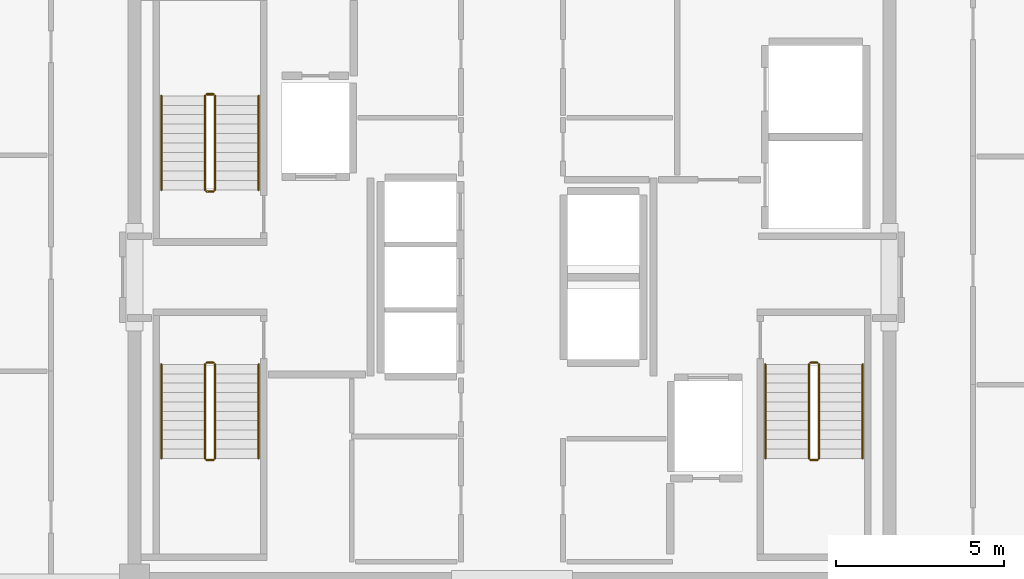
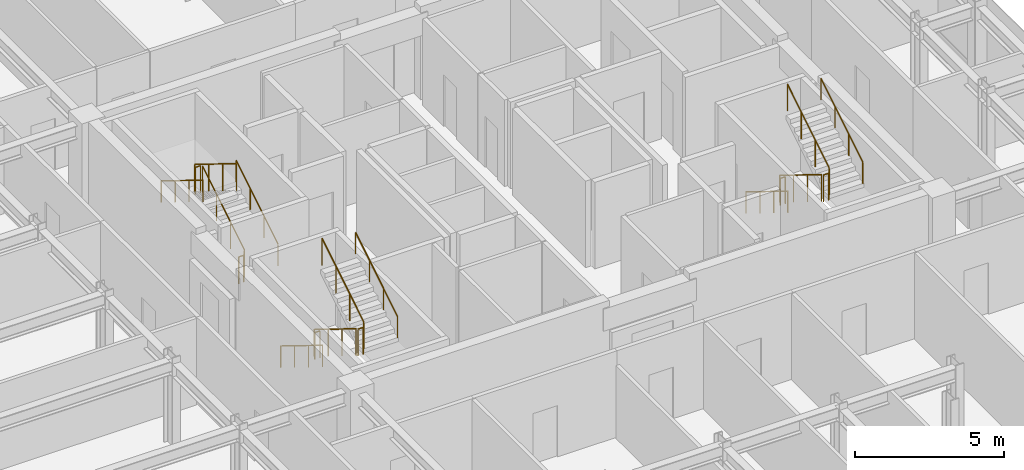
# One storey, part 16 of 16: 18 railings.
"""IFC4 building model written with IfcOpenShell, lengths in metres."""

from ifc_helpers import new_model, si_unit, direction, frame, origin, origin_2d, place, context, subcontext, project, spatial, circle, extrude, material, type_object, element, save


model = new_model("IFC4")

# Units and contexts
model_context = context("Model", 3, precision=1e-05, world=origin(), true_north=direction((0.0, 1.0)))
body_context = subcontext(model_context, "Body", "Model", "MODEL_VIEW")
ifc_project = project(units=[si_unit("LENGTHUNIT", "METRE"), si_unit("AREAUNIT", "SQUARE_METRE"), si_unit("VOLUMEUNIT", "CUBIC_METRE"), si_unit("PLANEANGLEUNIT", "RADIAN"), si_unit("MASSUNIT", "GRAM", prefix="KILO")], contexts=[model_context])

# Site, building, storey
site_placement = place(None, origin())
site = spatial("IfcSite", under=ifc_project, at=site_placement, CompositionType="ELEMENT")
building_placement = place(site_placement, origin())
building = spatial("IfcBuilding", under=site, at=building_placement, Name="Nefas-Gora Pilgrimage Tower", CompositionType="ELEMENT")
storey_placement = place(building_placement, frame((0.0, 0.0, 333.800048828125)))
storey = spatial("IfcBuildingStorey", under=building, at=storey_placement, Name="L84", CompositionType="ELEMENT", Elevation=333.800048828125)

# Railings
ifc_material_1 = material(Name="Painted galvanised steel", Category="steel")
railing_type_1 = type_object("IfcRailingType", Name="RLG-STR-GUARD-1100", PredefinedType="GUARDRAIL", material=ifc_material_1)
railing_1_placement = place(storey_placement, frame((-8.85009765625, 2.60009765625, 0.172607421875)))
element("IfcRailing", 1, at=railing_1_placement, inside=storey, type_object=railing_type_1, Name="L84 ST-01 stair guard 1", PredefinedType="GUARDRAIL", context=body_context, shape_type="SweptSolid", body=[
    extrude(circle(Radius=0.02392578125, at=origin_2d()), frame((0.0, 0.0, 1.09619140625), z_axis=(0.0, 0.851069175582, 0.525053576669), x_axis=(-1.0, 0.0, 0.0)), (0.0, 0.0, 1.0), 3.289794921875),
    extrude(circle(Radius=0.02099609375, at=origin_2d()), origin(), (0.0, 0.0, 1.0), 1.072021484375),
    extrude(circle(Radius=0.02099609375, at=origin_2d()), frame((0.0, 0.933349609375, 0.57568359375)), (0.0, 0.0, 1.0), 1.072021484375),
    extrude(circle(Radius=0.02099609375, at=origin_2d()), frame((0.0, 1.866455078125, 1.151611328125)), (0.0, 0.0, 1.0), 1.072021484375),
    extrude(circle(Radius=0.02099609375, at=origin_2d()), frame((0.0, 2.7998046875, 1.727294921875)), (0.0, 0.0, 1.0), 1.072021484375),
])
railing_2_placement = place(storey_placement, frame((-8.89990234375, 5.449951171875, 1.89990234375)))
element("IfcRailing", 2, at=railing_2_placement, inside=storey, type_object=railing_type_1, Name="L84 ST-01 stair guard 2", PredefinedType="GUARDRAIL", context=body_context, shape_type="SweptSolid", body=[
    extrude(circle(Radius=0.02392578125, at=origin_2d()), frame((0.0, 0.0, 1.09619140625), z_axis=(-1.0, 0.0, 0.0), x_axis=(0.0, -1.0, 0.0)), (0.0, 0.0, 1.0), 0.2001953125),
    extrude(circle(Radius=0.02099609375, at=origin_2d()), origin(), (0.0, 0.0, 1.0), 1.072021484375),
    extrude(circle(Radius=0.02099609375, at=origin_2d()), frame((-0.2001953125, 0.0, 0.0)), (0.0, 0.0, 1.0), 1.072021484375),
])
railing_3_placement = place(storey_placement, frame((-9.14990234375, 5.39990234375, 2.07275390625)))
element("IfcRailing", 3, at=railing_3_placement, inside=storey, type_object=railing_type_1, Name="L84 ST-01 stair guard 3", PredefinedType="GUARDRAIL", context=body_context, shape_type="SweptSolid", body=[
    extrude(circle(Radius=0.02392578125, at=origin_2d()), frame((0.0, 0.0, 1.09619140625), z_axis=(0.0, -0.851069175582, 0.525053576669), x_axis=(1.0, 0.0, 0.0)), (0.0, 0.0, 1.0), 3.289794921875),
    extrude(circle(Radius=0.02099609375, at=origin_2d()), origin(), (0.0, 0.0, 1.0), 1.072021484375),
    extrude(circle(Radius=0.02099609375, at=origin_2d()), frame((0.0, -0.933349609375, 0.57568359375)), (0.0, 0.0, 1.0), 1.072021484375),
    extrude(circle(Radius=0.02099609375, at=origin_2d()), frame((0.0, -1.866455078125, 1.151611328125)), (0.0, 0.0, 1.0), 1.072021484375),
    extrude(circle(Radius=0.02099609375, at=origin_2d()), frame((0.0, -2.7998046875, 1.727294921875)), (0.0, 0.0, 1.0), 1.072021484375),
])
railing_4_placement = place(storey_placement, frame((-8.89990234375, 2.550048828125, 0.0)))
element("IfcRailing", 4, at=railing_4_placement, inside=storey, type_object=railing_type_1, Name="L84 ST-01 stair guard 4", PredefinedType="GUARDRAIL", context=body_context, shape_type="SweptSolid", body=[
    extrude(circle(Radius=0.02392578125, at=origin_2d()), frame((0.0, 0.0, 1.09619140625), z_axis=(-1.0, 0.0, 0.0), x_axis=(0.0, -1.0, 0.0)), (0.0, 0.0, 1.0), 0.2001953125),
    extrude(circle(Radius=0.02099609375, at=origin_2d()), origin(), (0.0, 0.0, 1.0), 1.072021484375),
    extrude(circle(Radius=0.02099609375, at=origin_2d()), frame((-0.2001953125, 0.0, 0.0)), (0.0, 0.0, 1.0), 1.072021484375),
])
railing_5_placement = place(storey_placement, frame((8.85009765625, -2.60009765625, 0.172607421875)))
element("IfcRailing", 5, at=railing_5_placement, inside=storey, type_object=railing_type_1, Name="L84 ST-02 stair guard 1", PredefinedType="GUARDRAIL", context=body_context, shape_type="SweptSolid", body=[
    extrude(circle(Radius=0.02392578125, at=origin_2d()), frame((0.0, 0.0, 1.09619140625), z_axis=(0.0, -0.851069175582, 0.525053576669), x_axis=(1.0, 0.0, 0.0)), (0.0, 0.0, 1.0), 3.289794921875),
    extrude(circle(Radius=0.02099609375, at=origin_2d()), origin(), (0.0, 0.0, 1.0), 1.072021484375),
    extrude(circle(Radius=0.02099609375, at=origin_2d()), frame((0.0, -0.933349609375, 0.57568359375)), (0.0, 0.0, 1.0), 1.072021484375),
    extrude(circle(Radius=0.02099609375, at=origin_2d()), frame((0.0, -1.866455078125, 1.151611328125)), (0.0, 0.0, 1.0), 1.072021484375),
    extrude(circle(Radius=0.02099609375, at=origin_2d()), frame((0.0, -2.7998046875, 1.727294921875)), (0.0, 0.0, 1.0), 1.072021484375),
])
railing_6_placement = place(storey_placement, frame((8.89990234375, -5.449951171875, 1.89990234375)))
element("IfcRailing", 6, at=railing_6_placement, inside=storey, type_object=railing_type_1, Name="L84 ST-02 stair guard 2", PredefinedType="GUARDRAIL", context=body_context, shape_type="SweptSolid", body=[
    extrude(circle(Radius=0.02392578125, at=origin_2d()), frame((0.0, 0.0, 1.09619140625), z_axis=(1.0, 0.0, 0.0), x_axis=(0.0, 1.0, 0.0)), (0.0, 0.0, 1.0), 0.2001953125),
    extrude(circle(Radius=0.02099609375, at=origin_2d()), origin(), (0.0, 0.0, 1.0), 1.072021484375),
    extrude(circle(Radius=0.02099609375, at=origin_2d()), frame((0.2001953125, 0.0, 0.0)), (0.0, 0.0, 1.0), 1.072021484375),
])
railing_7_placement = place(storey_placement, frame((9.14990234375, -5.39990234375, 2.07275390625)))
element("IfcRailing", 7, at=railing_7_placement, inside=storey, type_object=railing_type_1, Name="L84 ST-02 stair guard 3", PredefinedType="GUARDRAIL", context=body_context, shape_type="SweptSolid", body=[
    extrude(circle(Radius=0.02392578125, at=origin_2d()), frame((0.0, 0.0, 1.09619140625), z_axis=(0.0, 0.851069175582, 0.525053576669), x_axis=(-1.0, 0.0, 0.0)), (0.0, 0.0, 1.0), 3.289794921875),
    extrude(circle(Radius=0.02099609375, at=origin_2d()), origin(), (0.0, 0.0, 1.0), 1.072021484375),
    extrude(circle(Radius=0.02099609375, at=origin_2d()), frame((0.0, 0.933349609375, 0.57568359375)), (0.0, 0.0, 1.0), 1.072021484375),
    extrude(circle(Radius=0.02099609375, at=origin_2d()), frame((0.0, 1.866455078125, 1.151611328125)), (0.0, 0.0, 1.0), 1.072021484375),
    extrude(circle(Radius=0.02099609375, at=origin_2d()), frame((0.0, 2.7998046875, 1.727294921875)), (0.0, 0.0, 1.0), 1.072021484375),
])
railing_8_placement = place(storey_placement, frame((8.89990234375, -2.550048828125, 0.0)))
element("IfcRailing", 8, at=railing_8_placement, inside=storey, type_object=railing_type_1, Name="L84 ST-02 stair guard 4", PredefinedType="GUARDRAIL", context=body_context, shape_type="SweptSolid", body=[
    extrude(circle(Radius=0.02392578125, at=origin_2d()), frame((0.0, 0.0, 1.09619140625), z_axis=(1.0, 0.0, 0.0), x_axis=(0.0, 1.0, 0.0)), (0.0, 0.0, 1.0), 0.2001953125),
    extrude(circle(Radius=0.02099609375, at=origin_2d()), origin(), (0.0, 0.0, 1.0), 1.072021484375),
    extrude(circle(Radius=0.02099609375, at=origin_2d()), frame((0.2001953125, 0.0, 0.0)), (0.0, 0.0, 1.0), 1.072021484375),
])
railing_9_placement = place(storey_placement, frame((-9.14990234375, -2.60009765625, 0.172607421875)))
element("IfcRailing", 9, at=railing_9_placement, inside=storey, type_object=railing_type_1, Name="L84 ST-03 stair guard 1", PredefinedType="GUARDRAIL", context=body_context, shape_type="SweptSolid", body=[
    extrude(circle(Radius=0.02392578125, at=origin_2d()), frame((0.0, 0.0, 1.09619140625), z_axis=(0.0, -0.851069175582, 0.525053576669), x_axis=(1.0, 0.0, 0.0)), (0.0, 0.0, 1.0), 3.289794921875),
    extrude(circle(Radius=0.02099609375, at=origin_2d()), origin(), (0.0, 0.0, 1.0), 1.072021484375),
    extrude(circle(Radius=0.02099609375, at=origin_2d()), frame((0.0, -0.933349609375, 0.57568359375)), (0.0, 0.0, 1.0), 1.072021484375),
    extrude(circle(Radius=0.02099609375, at=origin_2d()), frame((0.0, -1.866455078125, 1.151611328125)), (0.0, 0.0, 1.0), 1.072021484375),
    extrude(circle(Radius=0.02099609375, at=origin_2d()), frame((0.0, -2.7998046875, 1.727294921875)), (0.0, 0.0, 1.0), 1.072021484375),
])
railing_10_placement = place(storey_placement, frame((-9.10009765625, -5.449951171875, 1.89990234375)))
element("IfcRailing", 10, at=railing_10_placement, inside=storey, type_object=railing_type_1, Name="L84 ST-03 stair guard 2", PredefinedType="GUARDRAIL", context=body_context, shape_type="SweptSolid", body=[
    extrude(circle(Radius=0.02392578125, at=origin_2d()), frame((0.0, 0.0, 1.09619140625), z_axis=(1.0, 0.0, 0.0), x_axis=(0.0, 1.0, 0.0)), (0.0, 0.0, 1.0), 0.2001953125),
    extrude(circle(Radius=0.02099609375, at=origin_2d()), origin(), (0.0, 0.0, 1.0), 1.072021484375),
    extrude(circle(Radius=0.02099609375, at=origin_2d()), frame((0.2001953125, 0.0, 0.0)), (0.0, 0.0, 1.0), 1.072021484375),
])
railing_11_placement = place(storey_placement, frame((-8.85009765625, -5.39990234375, 2.07275390625)))
element("IfcRailing", 11, at=railing_11_placement, inside=storey, type_object=railing_type_1, Name="L84 ST-03 stair guard 3", PredefinedType="GUARDRAIL", context=body_context, shape_type="SweptSolid", body=[
    extrude(circle(Radius=0.02392578125, at=origin_2d()), frame((0.0, 0.0, 1.09619140625), z_axis=(0.0, 0.851069175582, 0.525053576669), x_axis=(-1.0, 0.0, 0.0)), (0.0, 0.0, 1.0), 3.289794921875),
    extrude(circle(Radius=0.02099609375, at=origin_2d()), origin(), (0.0, 0.0, 1.0), 1.072021484375),
    extrude(circle(Radius=0.02099609375, at=origin_2d()), frame((0.0, 0.933349609375, 0.57568359375)), (0.0, 0.0, 1.0), 1.072021484375),
    extrude(circle(Radius=0.02099609375, at=origin_2d()), frame((0.0, 1.866455078125, 1.151611328125)), (0.0, 0.0, 1.0), 1.072021484375),
    extrude(circle(Radius=0.02099609375, at=origin_2d()), frame((0.0, 2.7998046875, 1.727294921875)), (0.0, 0.0, 1.0), 1.072021484375),
])
railing_12_placement = place(storey_placement, frame((-9.10009765625, -2.550048828125, 0.0)))
element("IfcRailing", 12, at=railing_12_placement, inside=storey, type_object=railing_type_1, Name="L84 ST-03 stair guard 4", PredefinedType="GUARDRAIL", context=body_context, shape_type="SweptSolid", body=[
    extrude(circle(Radius=0.02392578125, at=origin_2d()), frame((0.0, 0.0, 1.09619140625), z_axis=(1.0, 0.0, 0.0), x_axis=(0.0, 1.0, 0.0)), (0.0, 0.0, 1.0), 0.2001953125),
    extrude(circle(Radius=0.02099609375, at=origin_2d()), origin(), (0.0, 0.0, 1.0), 1.072021484375),
    extrude(circle(Radius=0.02099609375, at=origin_2d()), frame((0.2001953125, 0.0, 0.0)), (0.0, 0.0, 1.0), 1.072021484375),
])
ifc_material_2 = material(Name="Brushed stainless steel", Category="steel")
railing_type_2 = type_object("IfcRailingType", Name="RLG-STR-HAND-900", PredefinedType="HANDRAIL", material=ifc_material_2)
railing_13_placement = place(storey_placement, frame((-7.550048828125, 2.60009765625, 0.172607421875)))
element("IfcRailing", 13, at=railing_13_placement, inside=storey, type_object=railing_type_2, Name="L84 ST-01 stair handrail 1", PredefinedType="HANDRAIL", context=body_context, shape_type="SweptSolid", body=[
    extrude(circle(Radius=0.02392578125, at=origin_2d()), frame((0.0, 0.0, 0.8759765625), z_axis=(0.0, 0.851069175582, 0.525053576669), x_axis=(-1.0, 0.0, 0.0)), (0.0, 0.0, 1.0), 3.289794921875),
    extrude(circle(Radius=0.02099609375, at=origin_2d()), origin(), (0.0, 0.0, 1.0), 0.851806640625),
    extrude(circle(Radius=0.02099609375, at=origin_2d()), frame((0.0, 0.933349609375, 0.57568359375)), (0.0, 0.0, 1.0), 0.851806640625),
    extrude(circle(Radius=0.02099609375, at=origin_2d()), frame((0.0, 1.866455078125, 1.151611328125)), (0.0, 0.0, 1.0), 0.851806640625),
    extrude(circle(Radius=0.02099609375, at=origin_2d()), frame((0.0, 2.7998046875, 1.727294921875)), (0.0, 0.0, 1.0), 0.851806640625),
])
for number, where, name in (
    (14, (-10.449951171875, 5.39990234375, 2.07275390625), "L84 ST-01 stair handrail 2"),
    (15, (7.550048828125, -2.60009765625, 0.172607421875), "L84 ST-02 stair handrail 1"),
):
    element("IfcRailing", number, at=place(storey_placement, frame(where)), inside=storey, type_object=railing_type_2, Name=name, PredefinedType="HANDRAIL", context=body_context, shape_type="SweptSolid", body=[
        extrude(circle(Radius=0.02392578125, at=origin_2d()), frame((0.0, 0.0, 0.8759765625), z_axis=(0.0, -0.851069175582, 0.525053576669), x_axis=(1.0, 0.0, 0.0)), (0.0, 0.0, 1.0), 3.289794921875),
        extrude(circle(Radius=0.02099609375, at=origin_2d()), origin(), (0.0, 0.0, 1.0), 0.851806640625),
        extrude(circle(Radius=0.02099609375, at=origin_2d()), frame((0.0, -0.933349609375, 0.57568359375)), (0.0, 0.0, 1.0), 0.851806640625),
        extrude(circle(Radius=0.02099609375, at=origin_2d()), frame((0.0, -1.866455078125, 1.151611328125)), (0.0, 0.0, 1.0), 0.851806640625),
        extrude(circle(Radius=0.02099609375, at=origin_2d()), frame((0.0, -2.7998046875, 1.727294921875)), (0.0, 0.0, 1.0), 0.851806640625),
    ])
railing_14_placement = place(storey_placement, frame((10.449951171875, -5.39990234375, 2.07275390625)))
element("IfcRailing", 16, at=railing_14_placement, inside=storey, type_object=railing_type_2, Name="L84 ST-02 stair handrail 2", PredefinedType="HANDRAIL", context=body_context, shape_type="SweptSolid", body=[
    extrude(circle(Radius=0.02392578125, at=origin_2d()), frame((0.0, 0.0, 0.8759765625), z_axis=(0.0, 0.851069175582, 0.525053576669), x_axis=(-1.0, 0.0, 0.0)), (0.0, 0.0, 1.0), 3.289794921875),
    extrude(circle(Radius=0.02099609375, at=origin_2d()), origin(), (0.0, 0.0, 1.0), 0.851806640625),
    extrude(circle(Radius=0.02099609375, at=origin_2d()), frame((0.0, 0.933349609375, 0.57568359375)), (0.0, 0.0, 1.0), 0.851806640625),
    extrude(circle(Radius=0.02099609375, at=origin_2d()), frame((0.0, 1.866455078125, 1.151611328125)), (0.0, 0.0, 1.0), 0.851806640625),
    extrude(circle(Radius=0.02099609375, at=origin_2d()), frame((0.0, 2.7998046875, 1.727294921875)), (0.0, 0.0, 1.0), 0.851806640625),
])
railing_15_placement = place(storey_placement, frame((-10.449951171875, -2.60009765625, 0.172607421875)))
element("IfcRailing", 17, at=railing_15_placement, inside=storey, type_object=railing_type_2, Name="L84 ST-03 stair handrail 1", PredefinedType="HANDRAIL", context=body_context, shape_type="SweptSolid", body=[
    extrude(circle(Radius=0.02392578125, at=origin_2d()), frame((0.0, 0.0, 0.8759765625), z_axis=(0.0, -0.851069175582, 0.525053576669), x_axis=(1.0, 0.0, 0.0)), (0.0, 0.0, 1.0), 3.289794921875),
    extrude(circle(Radius=0.02099609375, at=origin_2d()), origin(), (0.0, 0.0, 1.0), 0.851806640625),
    extrude(circle(Radius=0.02099609375, at=origin_2d()), frame((0.0, -0.933349609375, 0.57568359375)), (0.0, 0.0, 1.0), 0.851806640625),
    extrude(circle(Radius=0.02099609375, at=origin_2d()), frame((0.0, -1.866455078125, 1.151611328125)), (0.0, 0.0, 1.0), 0.851806640625),
    extrude(circle(Radius=0.02099609375, at=origin_2d()), frame((0.0, -2.7998046875, 1.727294921875)), (0.0, 0.0, 1.0), 0.851806640625),
])
railing_16_placement = place(storey_placement, frame((-7.550048828125, -5.39990234375, 2.07275390625)))
element("IfcRailing", 18, at=railing_16_placement, inside=storey, type_object=railing_type_2, Name="L84 ST-03 stair handrail 2", PredefinedType="HANDRAIL", context=body_context, shape_type="SweptSolid", body=[
    extrude(circle(Radius=0.02392578125, at=origin_2d()), frame((0.0, 0.0, 0.8759765625), z_axis=(0.0, 0.851069175582, 0.525053576669), x_axis=(-1.0, 0.0, 0.0)), (0.0, 0.0, 1.0), 3.289794921875),
    extrude(circle(Radius=0.02099609375, at=origin_2d()), origin(), (0.0, 0.0, 1.0), 0.851806640625),
    extrude(circle(Radius=0.02099609375, at=origin_2d()), frame((0.0, 0.933349609375, 0.57568359375)), (0.0, 0.0, 1.0), 0.851806640625),
    extrude(circle(Radius=0.02099609375, at=origin_2d()), frame((0.0, 1.866455078125, 1.151611328125)), (0.0, 0.0, 1.0), 0.851806640625),
    extrude(circle(Radius=0.02099609375, at=origin_2d()), frame((0.0, 2.7998046875, 1.727294921875)), (0.0, 0.0, 1.0), 0.851806640625),
])

save(model, "model.ifc")
